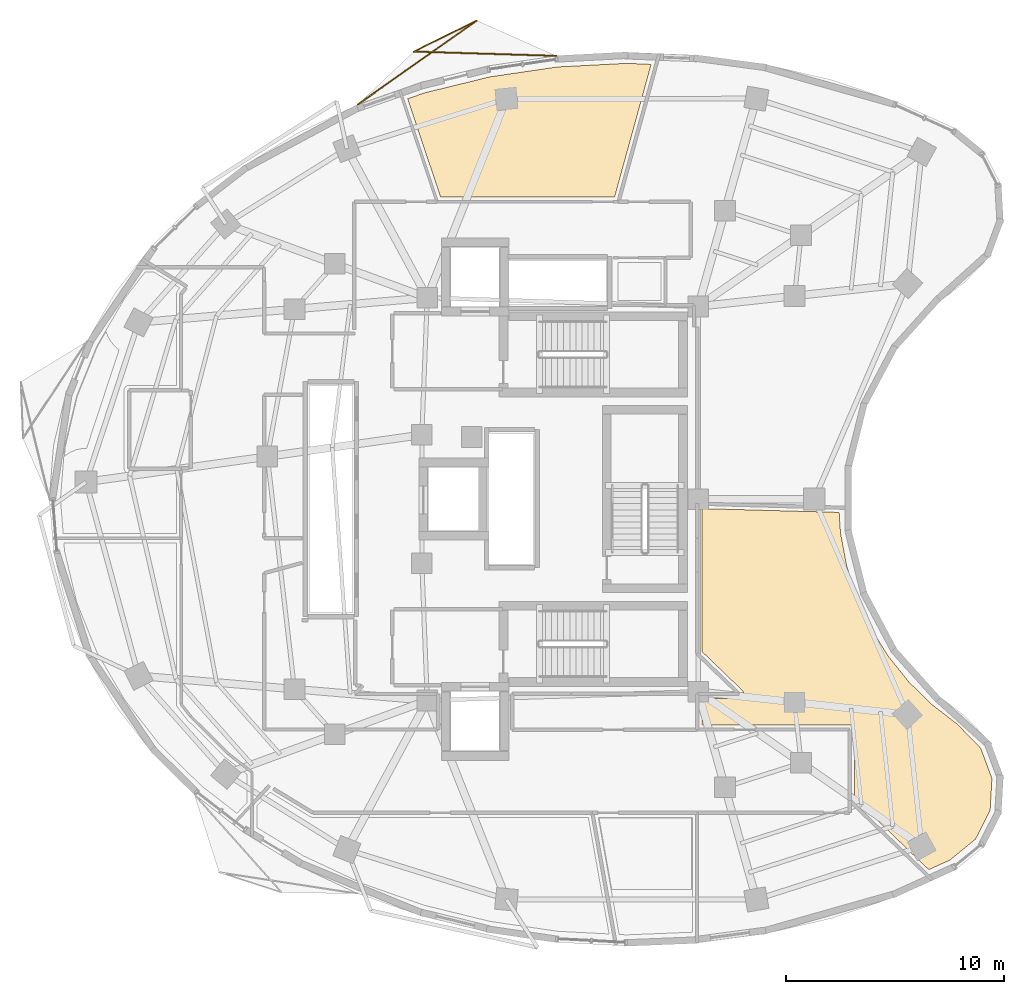
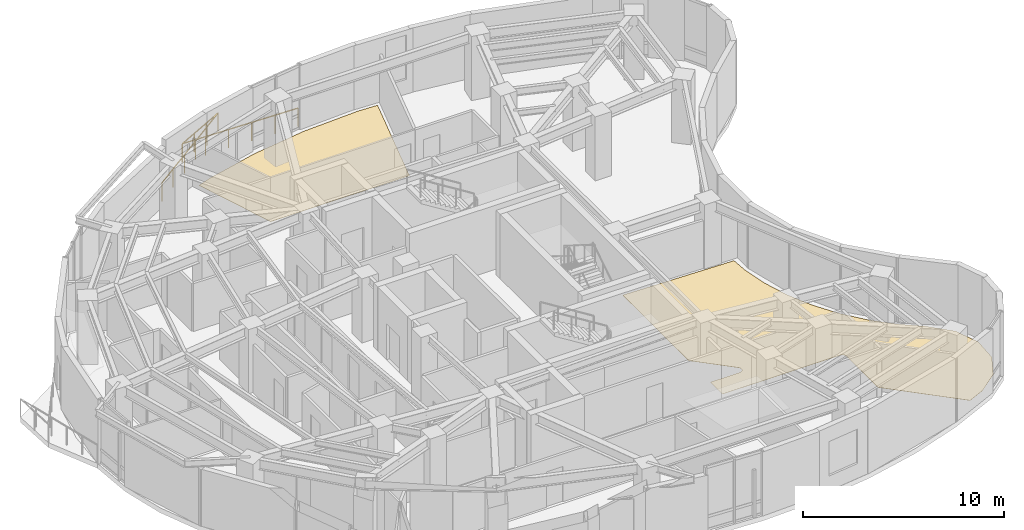
# One storey, part 13 of 13: 2 coverings, 1 railing.
"""IFC4 building model written with IfcOpenShell, lengths in metres."""

from ifc_helpers import new_model, si_unit, direction, frame, origin, origin_2d, place, context, subcontext, project, spatial, polyline, rectangle, outline, extrude, material, layer, layer_set, type_object, element, save


model = new_model("IFC4")

# Units and contexts
model_context = context("Model", 3, precision=1e-05, world=origin(), true_north=direction((0.0, 1.0)))
body_context = subcontext(model_context, "Body", "Model", "MODEL_VIEW")
ifc_project = project(units=[si_unit("LENGTHUNIT", "METRE"), si_unit("AREAUNIT", "SQUARE_METRE"), si_unit("VOLUMEUNIT", "CUBIC_METRE"), si_unit("PLANEANGLEUNIT", "RADIAN"), si_unit("MASSUNIT", "GRAM", prefix="KILO")], contexts=[model_context])

# Site, building, storey
site_placement = place(None, origin())
site = spatial("IfcSite", under=ifc_project, at=site_placement, CompositionType="ELEMENT")
building_placement = place(site_placement, origin())
building = spatial("IfcBuilding", under=site, at=building_placement, Name="Korentha Bioscience Tower", CompositionType="ELEMENT")
storey_placement = place(building_placement, frame((0.0, 0.0, 154.199951171875)))
storey = spatial("IfcBuildingStorey", under=building, at=storey_placement, Name="L35", CompositionType="ELEMENT", Elevation=154.199951171875)

# Railing
ifc_material_1 = material(Name="Laminated Tempered Safety Glass", Category="glass")
railing_type = type_object("IfcRailingType", Name="Laminated Glass Balcony Guardrail 1150", PredefinedType="BALUSTRADE", material=ifc_material_1)
railing_placement = place(storey_placement, frame((31.038330078125, 47.364013671875, 0.0)))
element("IfcRailing", 1, at=railing_placement, inside=storey, type_object=railing_type, Name="L35 Balcony Guardrail 01", PredefinedType="BALUSTRADE", context=body_context, shape_type="SweptSolid", body=[
    extrude(rectangle(XDim=0.048095703125, YDim=0.048095703125, at=origin_2d()), frame((0.0, 0.0, 1.1259765625), z_axis=(-0.999542032449, 0.030260954509, 0.0), x_axis=(-0.030260954509, -0.999542032449, 0.0)), (0.0, 0.0, 1.0), 6.55908203125),
    extrude(rectangle(XDim=0.048095703125, YDim=0.048095703125, at=origin_2d()), frame((-6.55615234375, 0.198486328125, 1.1259765625), z_axis=(0.896581526608, 0.442878726229, 0.0), x_axis=(-0.442878726229, 0.896581526608, 0.0)), (0.0, 0.0, 1.0), 3.225341796875),
    extrude(rectangle(XDim=0.048095703125, YDim=0.048095703125, at=origin_2d()), frame((-3.664306640625, 1.626953125, 1.1259765625), z_axis=(-0.816717092506, -0.577038292325, 0.0), x_axis=(0.577038292325, -0.816717092506, 0.0)), (0.0, 0.0, 1.0), 6.693359375),
    extrude(rectangle(XDim=0.0419921875, YDim=0.0419921875, at=origin_2d()), origin(), (0.0, 0.0, 1.0), 1.101806640625),
    extrude(rectangle(XDim=0.0419921875, YDim=0.0419921875, at=origin_2d()), frame((-1.311279296875, 0.039794921875, 0.0)), (0.0, 0.0, 1.0), 1.101806640625),
    extrude(rectangle(XDim=0.0419921875, YDim=0.0419921875, at=origin_2d()), frame((-2.62255859375, 0.079345703125, 0.0)), (0.0, 0.0, 1.0), 1.101806640625),
    extrude(rectangle(XDim=0.0419921875, YDim=0.0419921875, at=origin_2d()), frame((-3.93359375, 0.119140625, 0.0)), (0.0, 0.0, 1.0), 1.101806640625),
    extrude(rectangle(XDim=0.0419921875, YDim=0.0419921875, at=origin_2d()), frame((-5.244873046875, 0.15869140625, 0.0)), (0.0, 0.0, 1.0), 1.101806640625),
    extrude(rectangle(XDim=0.0419921875, YDim=0.0419921875, at=origin_2d()), frame((-6.55615234375, 0.198486328125, 0.0)), (0.0, 0.0, 1.0), 1.101806640625),
    extrude(rectangle(XDim=0.0419921875, YDim=0.0419921875, at=origin_2d()), frame((-5.59228515625, 0.674560546875, 0.0)), (0.0, 0.0, 1.0), 1.101806640625),
    extrude(rectangle(XDim=0.0419921875, YDim=0.0419921875, at=origin_2d()), frame((-4.628173828125, 1.15087890625, 0.0)), (0.0, 0.0, 1.0), 1.101806640625),
    extrude(rectangle(XDim=0.0419921875, YDim=0.0419921875, at=origin_2d()), frame((-3.664306640625, 1.626953125, 0.0)), (0.0, 0.0, 1.0), 1.101806640625),
    extrude(rectangle(XDim=0.0419921875, YDim=0.0419921875, at=origin_2d()), frame((-4.757568359375, 0.8544921875, 0.0)), (0.0, 0.0, 1.0), 1.101806640625),
    extrude(rectangle(XDim=0.0419921875, YDim=0.0419921875, at=origin_2d()), frame((-5.850830078125, 0.08203125, 0.0)), (0.0, 0.0, 1.0), 1.101806640625),
    extrude(rectangle(XDim=0.0419921875, YDim=0.0419921875, at=origin_2d()), frame((-6.9443359375, -0.6904296875, 0.0)), (0.0, 0.0, 1.0), 1.101806640625),
    extrude(rectangle(XDim=0.0419921875, YDim=0.0419921875, at=origin_2d()), frame((-8.03759765625, -1.462890625, 0.0)), (0.0, 0.0, 1.0), 1.101806640625),
    extrude(rectangle(XDim=0.0419921875, YDim=0.0419921875, at=origin_2d()), frame((-9.130859375, -2.2353515625, 0.0)), (0.0, 0.0, 1.0), 1.101806640625),
])

# Coverings
ifc_material_2 = material(Name="Chemical-Resistant Epoxy Resin", Category="polymer")
ifc_layer = layer(ifc_material_2, 0.011962890625, Name="Chemical-Resistant Epoxy Resin")
ifc_layer_set = layer_set([ifc_layer], Name="Chemical-Resistant Epoxy Resin (FL-EPX)")
covering_type = type_object("IfcCoveringType", Name="Seamless Epoxy Laboratory Flooring 12", PredefinedType="FLOORING", material=ifc_layer_set)
covering_1_placement = place(storey_placement, origin())
element("IfcCovering", 2, at=covering_1_placement, inside=storey, type_object=covering_type, Name="L35 Incubator and Bioreactor Suite 07 Floor Finish", PredefinedType="FLOORING", context=body_context, shape_type="SweptSolid", body=[
    extrude(outline(polyline([(44.025146484375, 26.389404296875), (44.085205078125, 25.45361328125), (44.36669921875, 23.94970703125), (44.8271484375, 22.497802734375), (45.46630859375, 21.1015625), (46.26318359375, 19.8056640625), (47.21630859375, 18.61083984375), (48.28173828125, 17.564208984375), (49.4521484375, 16.662841796875), (50.52978515625, 15.55224609375), (51.04541015625, 14.16748046875), (50.96044921875, 12.6923828125), (50.289306640625, 11.376220703125), (49.114013671875, 10.415283203125), (48.141845703125, 9.97412109375), (44.73681640625, 13.250732421875), (44.729736328125, 16.410888671875), (44.697509765625, 16.517822265625), (44.61865234375, 16.596923828125), (44.5, 16.6298828125), (37.72802734375, 16.6298828125), (37.72802734375, 17.827880859375), (39.44873046875, 17.830322265625), (39.512451171875, 17.849853515625), (39.582763671875, 17.902587890625), (39.62744140625, 17.978515625), (39.6396484375, 18.0439453125), (39.62548828125, 18.130859375), (39.578857421875, 18.205810546875), (37.72216796875, 19.992919921875), (37.72216796875, 26.565673828125), (44.025146484375, 26.389404296875)])), origin(), (0.0, 0.0, 1.0), 0.011962890625),
])
covering_2_placement = place(storey_placement, origin())
element("IfcCovering", 3, at=covering_2_placement, inside=storey, type_object=covering_type, Name="L35 Biostatistics Research Office 09 Floor Finish", PredefinedType="FLOORING", context=body_context, shape_type="SweptSolid", body=[
    extrude(outline(polyline([(31.088623046875, 46.85595703125), (34.243896484375, 47.02099609375), (35.385986328125, 46.974853515625), (33.707763671875, 40.882568359375), (25.710205078125, 40.880126953125), (24.2001953125, 45.393310546875), (24.972412109375, 45.66455078125), (27.983154296875, 46.401611328125), (31.088623046875, 46.85595703125)])), origin(), (0.0, 0.0, 1.0), 0.011962890625),
])

save(model, "model.ifc")
